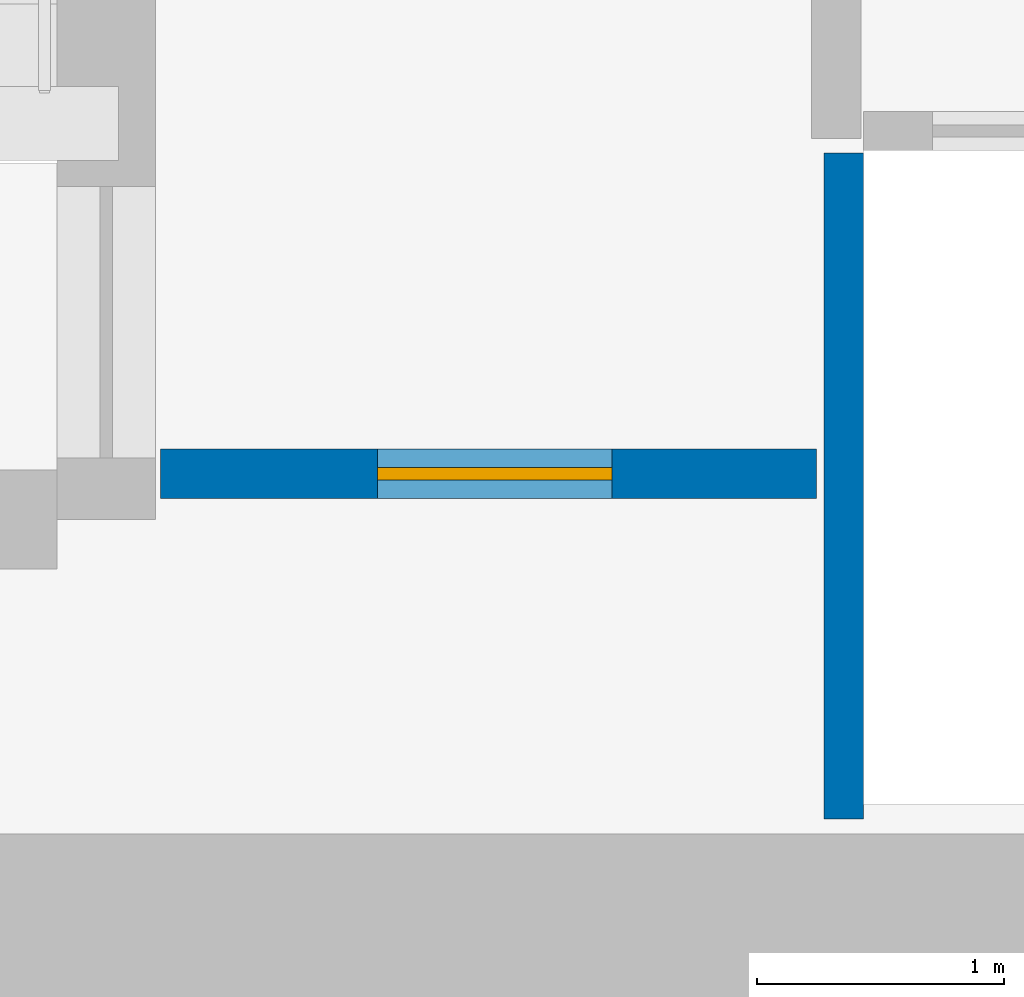
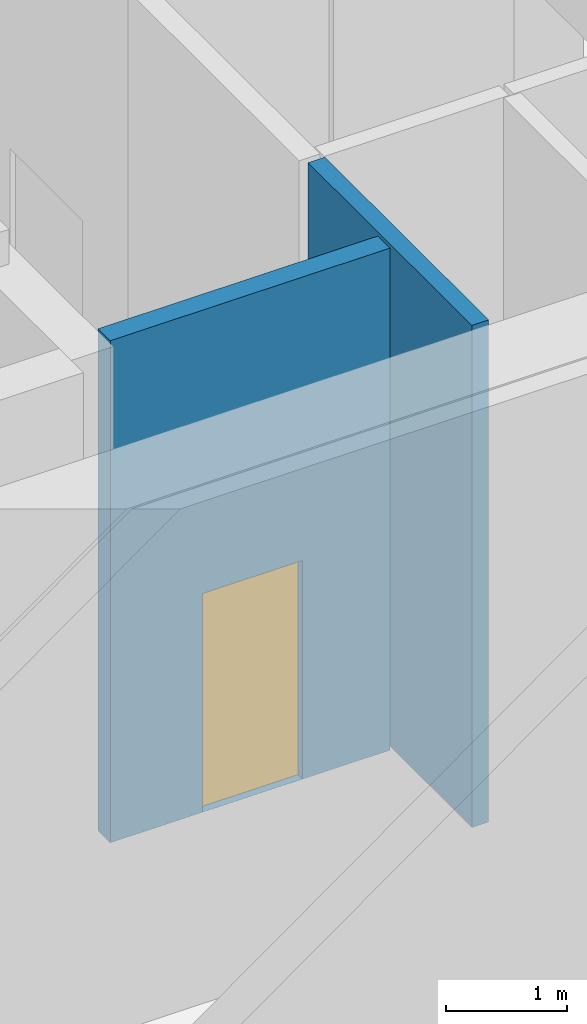
# One storey, part 3 of 11: 2 walls, 1 door, 1 opening.
"""IFC4 building model written with IfcOpenShell, lengths in metres."""

from ifc_helpers import new_model, si_unit, direction, frame, frame_2d, origin, place, context, subcontext, project, spatial, rectangle, extrude, material, layer, layer_set, type_object, element, fill, save


model = new_model("IFC4")

# Units and contexts
model_context = context("Model", 3, precision=1e-05, world=origin(), true_north=direction((0.0, 1.0)))
body_context = subcontext(model_context, "Body", "Model", "MODEL_VIEW")
ifc_project = project(units=[si_unit("LENGTHUNIT", "METRE"), si_unit("AREAUNIT", "SQUARE_METRE"), si_unit("VOLUMEUNIT", "CUBIC_METRE"), si_unit("PLANEANGLEUNIT", "RADIAN"), si_unit("MASSUNIT", "GRAM", prefix="KILO")], contexts=[model_context])

# Site, building, storey
site_placement = place(None, origin())
site = spatial("IfcSite", under=ifc_project, at=site_placement, CompositionType="ELEMENT")
building_placement = place(site_placement, origin())
building = spatial("IfcBuilding", under=site, at=building_placement, Name="Tavrogorsk Clinical Tower", CompositionType="ELEMENT")
storey_placement = place(building_placement, frame((0.0, 0.0, -5.39990234375)))
storey = spatial("IfcBuildingStorey", under=building, at=storey_placement, Name="B1", CompositionType="ELEMENT", Elevation=-5.39990234375)

# Wall, opening, door
ifc_material_1 = material(Name="Concrete B60", Category="concrete")
ifc_layer_1 = layer(ifc_material_1, 0.199951171875)
ifc_layer_set_1 = layer_set([ifc_layer_1], Name="Concrete B60")
wall_type_1 = type_object("IfcWallType", Name="CoreFireWall_200", PredefinedType="SOLIDWALL", material=ifc_layer_set_1)
wall_1_placement = place(storey_placement, frame((-17.3798828125, -4.139892578125, 0.0), z_axis=(0.0, 0.0, 1.0), x_axis=(1.0, 0.0, 0.0)))
wall_1 = element("IfcWall", 1, at=wall_1_placement, inside=storey, type_object=wall_type_1, Name="B1 Core West South Core Room Fire Wall", PredefinedType="SOLIDWALL", context=body_context, shape_type="SweptSolid", body=[
    extrude(rectangle(XDim=2.659912109375, YDim=0.199951171875, at=frame_2d((1.330078125, 0.0))), origin(), (0.0, 0.0, 1.0), 5.0498046875),
])
opening_placement = place(wall_1_placement, frame((0.8798828125, 0.0, 0.0)))
opening = element("IfcOpeningElement", 2, at=opening_placement, cuts=wall_1, Name="Opening ID-02", PredefinedType="OPENING", context=body_context, shape_type="SweptSolid", body=[
    extrude(rectangle(XDim=0.949951171875, YDim=2.199951171875, at=frame_2d((0.47509765625, 1.10009765625))), frame((0.0, 0.10986328125, 0.0), z_axis=(0.0, -1.0, 0.0), x_axis=(1.0, 0.0, 0.0)), (0.0, 0.0, 1.0), 0.219970703125),
])
ifc_material_2 = material(Name="Laminated timber leaf on aluminium frame", Category="wood")
door_type = type_object("IfcDoorType", Name="InteriorDoor_ID02_950", OperationType="NOTDEFINED", PredefinedType="DOOR", material=ifc_material_2)
door_placement = place(opening_placement, origin())
door = element("IfcDoor", 3, at=door_placement, inside=storey, type_object=door_type, Name="B1 Core West South Core Room Door", OperationType="SINGLE_SWING_RIGHT", OverallHeight=2.199951171875, OverallWidth=0.949951171875, PredefinedType="DOOR", context=body_context, shape_type="SweptSolid", body=[
    extrude(rectangle(XDim=0.949951171875, YDim=2.199951171875, at=frame_2d((0.47509765625, 1.10009765625))), frame((0.0, 0.02490234375, 0.0), z_axis=(0.0, -1.0, 0.0), x_axis=(1.0, 0.0, 0.0)), (0.0, 0.0, 1.0), 0.050048828125),
])
fill(opening, door)

# Wall
ifc_material_3 = material(Name="Lightweight concrete blockwork B25", Category="masonry")
ifc_layer_2 = layer(ifc_material_3, 0.159912109375)
ifc_layer_set_2 = layer_set([ifc_layer_2], Name="Lightweight concrete blockwork B25")
wall_type_2 = type_object("IfcWallType", Name="ShaftWall_160", PredefinedType="PARTITIONING", material=ifc_layer_set_2)
wall_2_placement = place(storey_placement, frame((-14.610107421875, -5.5400390625, 0.0), z_axis=(0.0, 0.0, 1.0), x_axis=(0.0, 1.0, 0.0)))
element("IfcWall", 4, at=wall_2_placement, inside=storey, type_object=wall_type_2, Name="B1 LP-L1 Lift Hoistway Outer Cheek Wall", PredefinedType="PARTITIONING", context=body_context, shape_type="SweptSolid", body=[
    extrude(rectangle(XDim=2.699951171875, YDim=0.159912109375, at=frame_2d((1.35009765625, 0.0))), origin(), (0.0, 0.0, 1.0), 5.0498046875),
])

save(model, "model.ifc")
